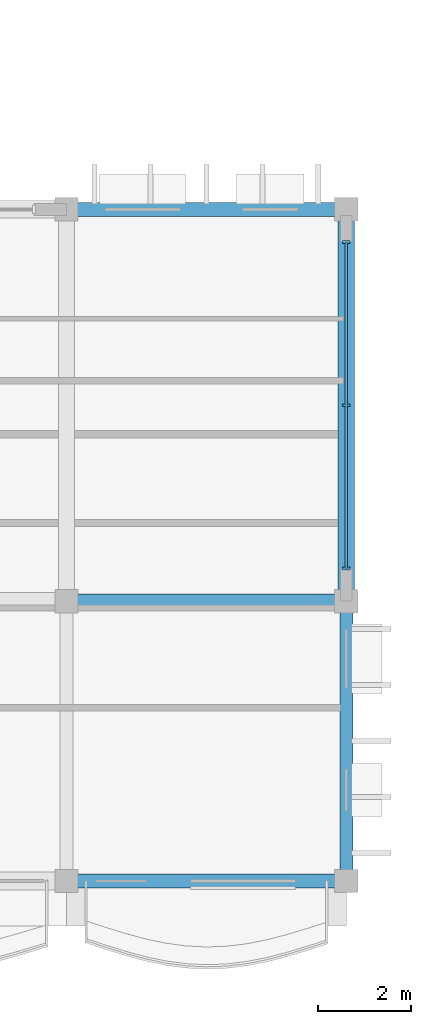
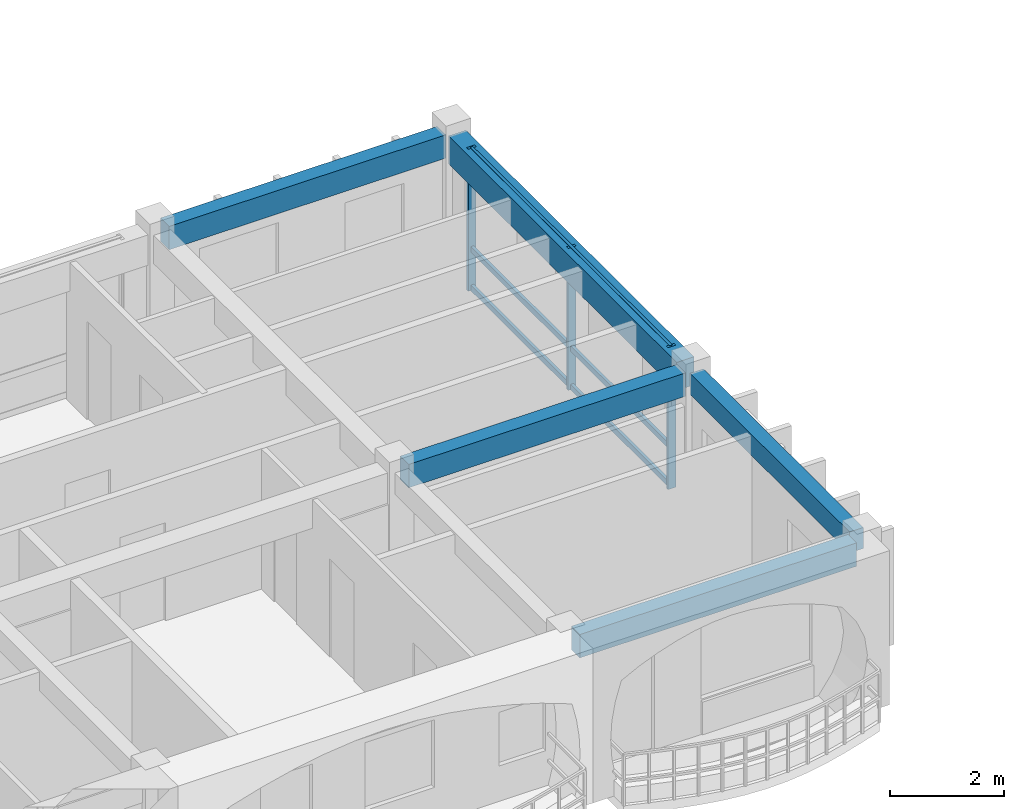
# One storey, part 6 of 54: 6 members, 5 beams, 1 element without a shape of its own.
"""IFC4 building model written with IfcOpenShell, lengths in metres."""

from ifc_helpers import new_model, si_unit, direction, frame, origin, origin_2d, place, context, subcontext, project, spatial, rectangle, extrude, material, material_profile, profile_set, type_object, element, aggregate, save


model = new_model("IFC4")

# Units and contexts
model_context = context("Model", 3, precision=1e-05, world=origin(), true_north=direction((0.0, 1.0)))
body_context = subcontext(model_context, "Body", "Model", "MODEL_VIEW")
ifc_project = project(units=[si_unit("LENGTHUNIT", "METRE"), si_unit("AREAUNIT", "SQUARE_METRE"), si_unit("VOLUMEUNIT", "CUBIC_METRE"), si_unit("PLANEANGLEUNIT", "RADIAN"), si_unit("MASSUNIT", "GRAM", prefix="KILO"), si_unit("THERMODYNAMICTEMPERATUREUNIT", "KELVIN")], contexts=[model_context])

# Site, building, storey
site_placement = place(None, origin())
site = spatial("IfcSite", under=ifc_project, at=site_placement, CompositionType="ELEMENT")
building_placement = place(site_placement, origin())
building = spatial("IfcBuilding", under=site, at=building_placement, Name="Thalorik Housing Commons", CompositionType="ELEMENT")
storey_placement = place(building_placement, frame((0.0, 0.0, 31.199951171875)))
storey = spatial("IfcBuildingStorey", under=building, at=storey_placement, Name="L09", CompositionType="ELEMENT", Elevation=31.199951171875)

# Curtain wall, members
ifc_material_1 = material(Name="Anodised aluminium and solar-control low-E glass", Category="aluminium")
curtain_wall_type = type_object("IfcCurtainWallType", Name="ARC-CW-LOUNGE", PredefinedType="USERDEFINED", material=ifc_material_1)
curtain_wall_placement = place(storey_placement, origin())
curtain_wall = element("IfcCurtainWall", 1, at=curtain_wall_placement, inside=storey, type_object=curtain_wall_type, Name="L09 Curtain Wall CW-RES-L09-C-169", ObjectType="CURTAIN WALL", PredefinedType="USERDEFINED")
ifc_material_2 = material(Name="Anodised aluminium 6063-T6", Category="aluminium")
ifc_material_profile_1 = material_profile(ifc_material_2, rectangle(XDim=0.06005859375, YDim=0.159912109375, at=origin_2d()), Name="ALU MUL 60x160", Category="aluminium")
ifc_profile_set_1 = profile_set([ifc_material_profile_1], Name="Anodised aluminium 6063-T6")
member_type_1 = type_object("IfcMemberType", Name="ARC-CW-MUL-60x160", PredefinedType="MULLION", material=ifc_profile_set_1)
member_1_placement = place(storey_placement, frame((43.199951171875, 15.10009765625, 0.0), z_axis=(0.0, 0.0, 1.0), x_axis=(0.0, 1.0, 0.0)))
member_1 = element("IfcMember", 2, at=member_1_placement, type_object=member_type_1, Name="CW-RES-L09-C-169 Mullion 1", PredefinedType="MULLION", context=body_context, shape_type="SweptSolid", body=[
    extrude(rectangle(XDim=0.06005859375, YDim=0.159912109375, at=origin_2d()), origin(), (0.0, 0.0, 1.0), 3.0400390625),
])
member_2_placement = place(storey_placement, frame((43.199951171875, 18.60009765625, 0.0), z_axis=(0.0, 0.0, 1.0), x_axis=(0.0, 1.0, 0.0)))
member_2 = element("IfcMember", 3, at=member_2_placement, type_object=member_type_1, Name="CW-RES-L09-C-169 Mullion 2", PredefinedType="MULLION", context=body_context, shape_type="SweptSolid", body=[
    extrude(rectangle(XDim=0.06005859375, YDim=0.159912109375, at=origin_2d()), origin(), (0.0, 0.0, 1.0), 3.0400390625),
])
member_3_placement = place(storey_placement, frame((43.199951171875, 22.10009765625, 0.0), z_axis=(0.0, 0.0, 1.0), x_axis=(0.0, 1.0, 0.0)))
member_3 = element("IfcMember", 4, at=member_3_placement, type_object=member_type_1, Name="CW-RES-L09-C-169 Mullion 3", PredefinedType="MULLION", context=body_context, shape_type="SweptSolid", body=[
    extrude(rectangle(XDim=0.06005859375, YDim=0.159912109375, at=origin_2d()), origin(), (0.0, 0.0, 1.0), 3.0400390625),
])
ifc_material_profile_2 = material_profile(ifc_material_2, rectangle(XDim=0.06005859375, YDim=0.1201171875, at=origin_2d()), Name="ALU TRN 60x120", Category="aluminium")
ifc_profile_set_2 = profile_set([ifc_material_profile_2], Name="Anodised aluminium 6063-T6")
member_type_2 = type_object("IfcMemberType", Name="ARC-CW-TRN-60x120", PredefinedType="USERDEFINED", material=ifc_profile_set_2)
member_4_placement = place(storey_placement, frame((43.199951171875, 15.10009765625, 0.054931640625), z_axis=(0.0, 1.0, 0.0), x_axis=(-1.0, 0.0, 0.0)))
member_4 = element("IfcMember", 5, at=member_4_placement, type_object=member_type_2, Name="CW-RES-L09-C-169 Transom 1", ObjectType="TRANSOM", PredefinedType="USERDEFINED", context=body_context, shape_type="SweptSolid", body=[
    extrude(rectangle(XDim=0.06005859375, YDim=0.1201171875, at=origin_2d()), origin(), (0.0, 0.0, 1.0), 7.0),
])
member_5_placement = place(storey_placement, frame((43.199951171875, 15.10009765625, 0.880126953125), z_axis=(0.0, 1.0, 0.0), x_axis=(-1.0, 0.0, 0.0)))
member_5 = element("IfcMember", 6, at=member_5_placement, type_object=member_type_2, Name="CW-RES-L09-C-169 Transom 2", ObjectType="TRANSOM", PredefinedType="USERDEFINED", context=body_context, shape_type="SweptSolid", body=[
    extrude(rectangle(XDim=0.06005859375, YDim=0.1201171875, at=origin_2d()), origin(), (0.0, 0.0, 1.0), 7.0),
])
member_6_placement = place(storey_placement, frame((43.199951171875, 15.10009765625, 2.985107421875), z_axis=(0.0, 1.0, 0.0), x_axis=(-1.0, 0.0, 0.0)))
member_6 = element("IfcMember", 7, at=member_6_placement, type_object=member_type_2, Name="CW-RES-L09-C-169 Transom 3", ObjectType="TRANSOM", PredefinedType="USERDEFINED", context=body_context, shape_type="SweptSolid", body=[
    extrude(rectangle(XDim=0.06005859375, YDim=0.1201171875, at=origin_2d()), origin(), (0.0, 0.0, 1.0), 7.0),
])
aggregate(curtain_wall, [member_1, member_2, member_3, member_4, member_5, member_6])

# Beams
ifc_material_3 = material(Name="Precast concrete C40/50", Category="concrete")
ifc_material_profile_3 = material_profile(ifc_material_3, rectangle(XDim=0.280029296875, YDim=0.449951171875, at=origin_2d()), Name="PC 280x450", Category="concrete")
ifc_profile_set_3 = profile_set([ifc_material_profile_3], Name="Precast concrete C40/50")
beam_type_1 = type_object("IfcBeamType", Name="STR-BM-PC280x450", PredefinedType="BEAM", material=ifc_profile_set_3)
beam_1_placement = place(storey_placement, frame((43.199951171875, 8.60009765625, 2.81494140625), z_axis=(0.0, 1.0, 0.0), x_axis=(-1.0, 0.0, 0.0)))
element("IfcBeam", 8, at=beam_1_placement, inside=storey, type_object=beam_type_1, Name="L09 Beam B-450", PredefinedType="BEAM", context=body_context, shape_type="SweptSolid", body=[
    extrude(rectangle(XDim=0.280029296875, YDim=0.449951171875, at=origin_2d()), origin(), (0.0, 0.0, 1.0), 5.599853515625),
])
ifc_material_profile_4 = material_profile(ifc_material_3, rectangle(XDim=0.300048828125, YDim=0.5, at=origin_2d()), Name="PC 300x500", Category="concrete")
ifc_profile_set_4 = profile_set([ifc_material_profile_4], Name="Precast concrete C40/50")
beam_type_2 = type_object("IfcBeamType", Name="STR-BM-PC300x500", PredefinedType="BEAM", material=ifc_profile_set_4)
for number, where, z_axis, x_axis, name in (
    (9, (37.39990234375, 8.39990234375, 2.7900390625), (1.0, 0.0, 0.0), (0.0, 1.0, 0.0), "L09 Beam B-500"),
    (10, (37.39990234375, 14.39990234375, 2.7900390625), (1.0, 0.0, 0.0), (0.0, 1.0, 0.0), "L09 Beam B-500"),
    (11, (37.39990234375, 22.800048828125, 2.7900390625), (1.0, 0.0, 0.0), (0.0, 1.0, 0.0), "L09 Beam B-500"),
):
    element("IfcBeam", number, at=place(storey_placement, frame(where, z_axis=z_axis, x_axis=x_axis)), inside=storey, type_object=beam_type_2, Name=name, PredefinedType="BEAM", context=body_context, shape_type="SweptSolid", body=[
        extrude(rectangle(XDim=0.300048828125, YDim=0.5, at=origin_2d()), origin(), (0.0, 0.0, 1.0), 5.60009765625),
    ])
ifc_material_profile_5 = material_profile(ifc_material_3, rectangle(XDim=0.35009765625, YDim=0.60009765625, at=origin_2d()), Name="PC 350x600", Category="concrete")
ifc_profile_set_5 = profile_set([ifc_material_profile_5], Name="Precast concrete C40/50")
beam_type_3 = type_object("IfcBeamType", Name="STR-BM-PC350x600", PredefinedType="BEAM", material=ifc_profile_set_5)
beam_2_placement = place(storey_placement, frame((43.199951171875, 14.60009765625, 2.739990234375), z_axis=(0.0, 1.0, 0.0), x_axis=(-1.0, 0.0, 0.0)))
element("IfcBeam", 12, at=beam_2_placement, inside=storey, type_object=beam_type_3, Name="L09 Beam B-600", PredefinedType="BEAM", context=body_context, shape_type="SweptSolid", body=[
    extrude(rectangle(XDim=0.35009765625, YDim=0.60009765625, at=origin_2d()), origin(), (0.0, 0.0, 1.0), 8.0),
])

save(model, "model.ifc")
